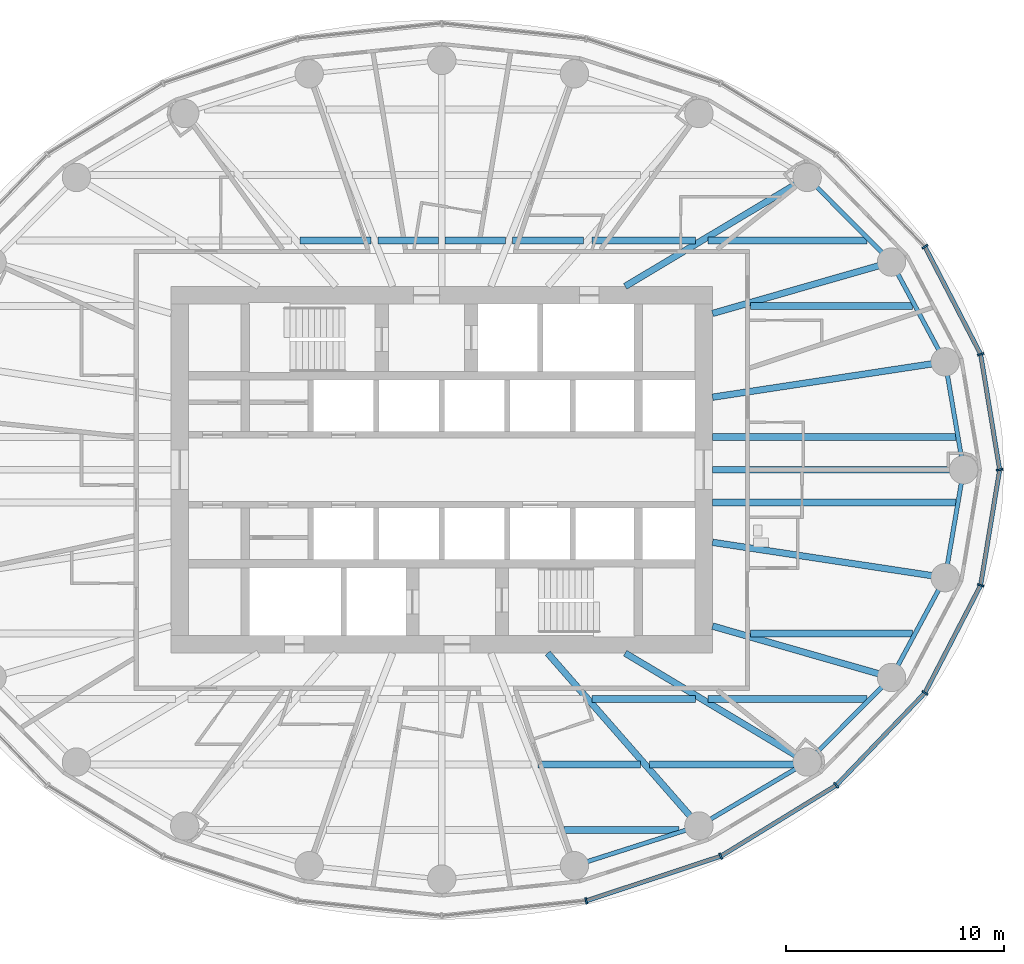
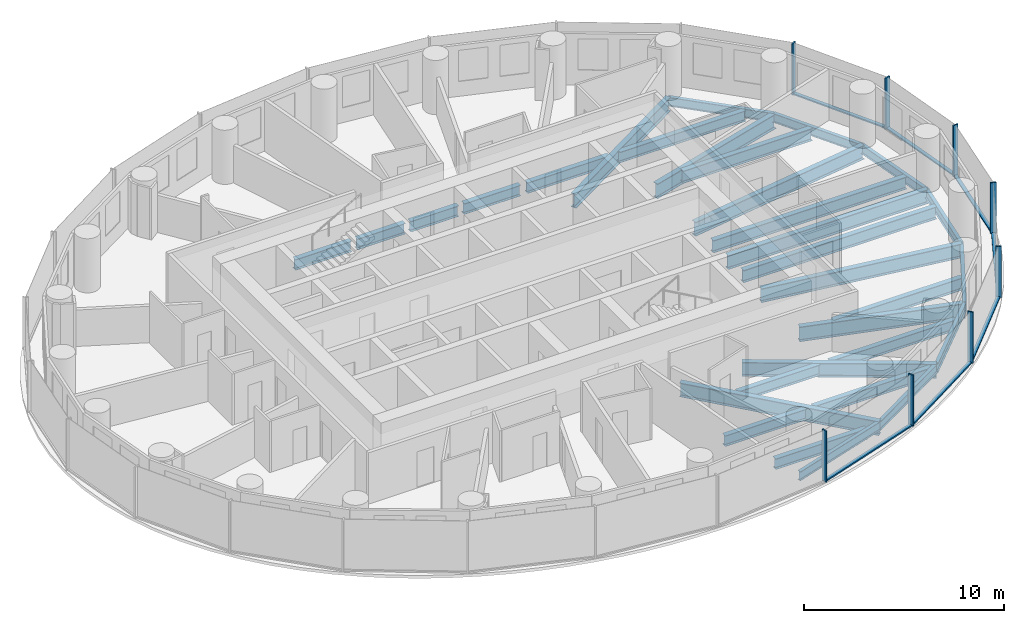
# One storey, part 3 of 13: 31 beams, 15 members, 2 elements without a shape of their own.
"""IFC4 building model written with IfcOpenShell, lengths in metres."""

import ifcopenshell
import ifcopenshell.guid

model = None  # the IFC model being written
_history = None  # IfcOwnerHistory: only IFC2X3 demands one
_inside = {}  # id of a spatial element -> (the spatial element, [elements in it])
_under = {}  # id of a project, library or spatial element -> (it, [spatial elements below it])
_declared = {}  # id of a project -> (the project, [libraries it declares])
_typed = {}  # id of a type object -> (the type object, [elements of that type])
_made_of = {}  # id of a material, layer set ... -> (it, [elements and type objects made of it])


def new_model(schema):
    """Start an empty IFC model of exactly this schema.

    Asked for "IFC4X3", IfcOpenShell would pick the latest addendum, in which some entities
    have other attributes; the version numbers below select the first issue.
    IFC2X3 requires an IfcOwnerHistory on every rooted entity: one is made here for all.
    """
    global model, _history
    if schema == "IFC4X3":
        model = ifcopenshell.file(schema_version=(4, 3, 0, 0))
    else:
        model = ifcopenshell.file(schema=schema)
    _inside.clear()
    _under.clear()
    _declared.clear()
    _typed.clear()
    _made_of.clear()
    _history = None
    if model.schema == "IFC2X3":
        org = make("IfcOrganization", Name="unknown")
        user = make(
            "IfcPersonAndOrganization",
            ThePerson=make("IfcPerson", FamilyName="unknown"),
            TheOrganization=org,
        )
        app = make(
            "IfcApplication",
            ApplicationDeveloper=org,
            Version="unknown",
            ApplicationFullName="unknown",
            ApplicationIdentifier="unknown",
        )
        _history = make(
            "IfcOwnerHistory",
            OwningUser=user,
            OwningApplication=app,
            ChangeAction="ADDED",
            CreationDate=0,
        )
    return model


def make(cls, **values):
    """One entity of the class cls with the attributes given. An attribute that is None is left unset."""
    return model.create_entity(
        cls, **{name: value for name, value in values.items() if value is not None}
    )


def rooted(cls, **values):
    """An entity with a GlobalId (a new one), such as an element, a storey or a relation."""
    return make(cls, GlobalId=ifcopenshell.guid.new(), OwnerHistory=_history, **values)


def si_unit(unit_type, name, prefix=None):
    """IfcSIUnit, for example si_unit("LENGTHUNIT", "METRE", prefix="MILLI")."""
    return make("IfcSIUnit", UnitType=unit_type, Prefix=prefix, Name=name)


def assignment(units):
    """IfcUnitAssignment: the units of a project."""
    return None if units is None else make("IfcUnitAssignment", Units=units)


def point(xyz):
    """IfcCartesianPoint."""
    return None if xyz is None else make("IfcCartesianPoint", Coordinates=xyz)


def direction(xyz):
    """IfcDirection."""
    return None if xyz is None else make("IfcDirection", DirectionRatios=xyz)


def frame(location, z_axis=None, x_axis=None):
    """IfcAxis2Placement3D, a coordinate frame: its origin and axes. An axis left out is left unset."""
    return make(
        "IfcAxis2Placement3D",
        Location=point(location),
        Axis=direction(z_axis),
        RefDirection=direction(x_axis),
    )


def frame_2d(location, x_axis=None):
    """IfcAxis2Placement2D, a coordinate frame in the plane: its origin and x axis."""
    return make(
        "IfcAxis2Placement2D", Location=point(location), RefDirection=direction(x_axis)
    )


def origin():
    """The frame at (0, 0, 0) with its axes left unset."""
    return frame((0.0, 0.0, 0.0))


def origin_2d():
    """The frame at (0, 0) in the plane with its x axis left unset."""
    return frame_2d((0.0, 0.0))


def place(relative_to, where):
    """IfcLocalPlacement: puts the frame where relative to a parent placement (None: the world)."""
    return make(
        "IfcLocalPlacement", PlacementRelTo=relative_to, RelativePlacement=where
    )


def context(
    kind, dimensions, precision=None, world=None, true_north=None, identifier=None
):
    """IfcGeometricRepresentationContext, for example the 3D "Model" context."""
    return make(
        "IfcGeometricRepresentationContext",
        ContextIdentifier=identifier,
        ContextType=kind,
        CoordinateSpaceDimension=dimensions,
        Precision=precision,
        WorldCoordinateSystem=world,
        TrueNorth=true_north,
    )


def subcontext(parent, identifier, kind, view, scale=None):
    """IfcGeometricRepresentationSubContext, for example "Body" below "Model"."""
    return make(
        "IfcGeometricRepresentationSubContext",
        ContextIdentifier=identifier,
        ContextType=kind,
        ParentContext=parent,
        TargetScale=scale,
        TargetView=view,
    )


def project(units=None, contexts=None):
    """IfcProject with its units and contexts."""
    return rooted(
        "IfcProject",
        Name="project",
        RepresentationContexts=contexts,
        UnitsInContext=assignment(units),
    )


def spatial(cls, under=None, at=None, **own):
    """A site, building, storey or space (cls), placed at a placement, below another one or the project."""
    s = rooted(cls, ObjectPlacement=at, **own)
    if under is not None:
        _under.setdefault(under.id(), (under, []))[1].append(s)
    return s


def profile(cls, at=None, kind="AREA", **sizes):
    """A parametric profile (cls). Its sizes go by their IFC names, for example OverallWidth=200.0."""
    return make(cls, ProfileType=kind, Position=at, **sizes)


def rectangle(**sizes):
    """IfcRectangleProfileDef."""
    return profile("IfcRectangleProfileDef", **sizes)


def i_section(**sizes):
    """IfcIShapeProfileDef."""
    return profile("IfcIShapeProfileDef", **sizes)


def extrude(swept, where, along, depth):
    """IfcExtrudedAreaSolid: the profile swept, set in the frame where, extruded along a direction by depth."""
    return make(
        "IfcExtrudedAreaSolid",
        SweptArea=swept,
        Position=where,
        ExtrudedDirection=direction(along),
        Depth=depth,
    )


def shape(context_of_items, identifier, shape_type, items):
    """IfcShapeRepresentation: the items that make up one representation, for example the "Body"."""
    return make(
        "IfcShapeRepresentation",
        ContextOfItems=context_of_items,
        RepresentationIdentifier=identifier,
        RepresentationType=shape_type,
        Items=items,
    )


def material(Name=None, Category=None):
    """IfcMaterial."""
    return make("IfcMaterial", Name=Name, Category=Category)


def material_profile(
    of_material, cross_section, Name=None, Category=None, Priority=None
):
    """IfcMaterialProfile: a cross section and its material."""
    return make(
        "IfcMaterialProfile",
        Name=Name,
        Material=of_material,
        Profile=cross_section,
        Priority=Priority,
        Category=Category,
    )


def profile_set(profiles, Name=None, composite=None):
    """IfcMaterialProfileSet."""
    return make(
        "IfcMaterialProfileSet",
        Name=Name,
        MaterialProfiles=profiles,
        CompositeProfile=composite,
    )


def made_of(thing, what):
    """Note that an element or type object is made of a material, layer set ...; save() writes the relation."""
    if what is not None:
        _made_of.setdefault(what.id(), (what, []))[1].append(thing)
    return thing


def type_object(cls, material=None, **own):
    """A type object (cls), such as IfcWallType, which elements share."""
    return made_of(rooted(cls, **own), material)


def element(
    cls,
    number,
    at=None,
    inside=None,
    cuts=None,
    type_object=None,
    material=None,
    context=None,
    identifier="Body",
    shape_type=None,
    held_by="IfcProductDefinitionShape",
    body=None,
    shapes=None,
    **own,
):
    """One element of the class cls, such as IfcWall. Its Tag is "e" and its number.

    at: its placement. inside: the storey or other place that contains it. cuts: it is an
    opening in that element (IfcRelVoidsElement). A single representation is given by context,
    identifier, shape_type and body (its items); several are given by shapes. held_by: the class
    of the entity that holds the representations. save() writes the other relations.
    """
    e = rooted(cls, Tag="e%d" % number, ObjectPlacement=at, **own)
    if body is not None:
        shapes = [shape(context, identifier, shape_type, body)]
    if shapes is not None:
        e.Representation = make(held_by, Representations=shapes)
    if inside is not None:
        _inside.setdefault(inside.id(), (inside, []))[1].append(e)
    if cuts is not None:
        rooted(
            "IfcRelVoidsElement", RelatingBuildingElement=cuts, RelatedOpeningElement=e
        )
    if type_object is not None:
        _typed.setdefault(type_object.id(), (type_object, []))[1].append(e)
    return made_of(e, material)


def aggregate(whole, parts):
    """IfcRelAggregates: a whole, such as a stair, and the parts it consists of."""
    return rooted("IfcRelAggregates", RelatingObject=whole, RelatedObjects=parts)


def save(model, path):
    """Write the relations noted so far, then the file.

    IfcRelAggregates (storeys below a building ...), IfcRelContainedInSpatialStructure (elements
    in a storey), IfcRelDefinesByType, IfcRelAssociatesMaterial and IfcRelDeclares: one each for
    every whole, place, type object, material and project.
    """
    for whole, parts in _under.values():
        aggregate(whole, parts)
    for where, things in _inside.values():
        rooted(
            "IfcRelContainedInSpatialStructure",
            RelatedElements=things,
            RelatingStructure=where,
        )
    for kind, things in _typed.values():
        rooted("IfcRelDefinesByType", RelatedObjects=things, RelatingType=kind)
    for what, things in _made_of.values():
        rooted("IfcRelAssociatesMaterial", RelatedObjects=things, RelatingMaterial=what)
    for by, libraries in _declared.values():
        rooted("IfcRelDeclares", RelatingContext=by, RelatedDefinitions=libraries)
    model.write(path)


model = new_model("IFC4")

# Units and contexts
model_context = context("Model", 3, precision=1e-05, world=origin(), true_north=direction((0.0, 1.0)))
body_context = subcontext(model_context, "Body", "Model", "MODEL_VIEW")
ifc_project = project(units=[si_unit("LENGTHUNIT", "METRE"), si_unit("AREAUNIT", "SQUARE_METRE"), si_unit("VOLUMEUNIT", "CUBIC_METRE"), si_unit("PLANEANGLEUNIT", "RADIAN"), si_unit("MASSUNIT", "GRAM", prefix="KILO")], contexts=[model_context])

# Site, building, storey
site_placement = place(None, origin())
site = spatial("IfcSite", under=ifc_project, at=site_placement, CompositionType="ELEMENT")
building_placement = place(site_placement, origin())
building = spatial("IfcBuilding", under=site, at=building_placement, Name="Hankou Lantern Tower", CompositionType="ELEMENT")
storey_placement = place(building_placement, frame((0.0, 0.0, 105.60009765625)))
storey = spatial("IfcBuildingStorey", under=building, at=storey_placement, Name="L26", CompositionType="ELEMENT", Elevation=105.60009765625)

# Beams
ifc_material_1 = material(Name="Steel Q355B", Category="steel")
ifc_material_profile_1 = material_profile(ifc_material_1, i_section(OverallWidth=0.199951171875, OverallDepth=0.550048828125, WebThickness=0.010009765625, FlangeThickness=0.01611328125, FilletRadius=0.012939453125, at=origin_2d()), Name="HN550x200x10x16")
ifc_profile_set_1 = profile_set([ifc_material_profile_1], Name="Steel Q355B")
beam_type_1 = type_object("IfcBeamType", Name="EB6 RING BEAM HN550x200x10x16", PredefinedType="SPANDREL", material=ifc_profile_set_1)
beam_1_placement = place(storey_placement, frame((23.89990234375, 0.0, -0.455078125), z_axis=(-0.168527258545, 0.985696993567, 0.0), x_axis=(-0.985696993567, -0.168527258545, 0.0)))
element("IfcBeam", 1, at=beam_1_placement, inside=storey, type_object=beam_type_1, Name="Ring beam R01-R02 L26", PredefinedType="SPANDREL", context=body_context, shape_type="SweptSolid", body=[
    extrude(i_section(OverallWidth=0.199951171875, OverallDepth=0.550048828125, WebThickness=0.010009765625, FlangeThickness=0.01611328125, FilletRadius=0.012939453125, at=origin_2d()), origin(), (0.0, 0.0, 1.0), 5.013916015625),
])
beam_2_placement = place(storey_placement, frame((23.054931640625, 4.942138671875, -0.455078125), z_axis=(-0.473824901673, 0.880619079145, 0.0), x_axis=(-0.880619079145, -0.473824901673, 0.0)))
element("IfcBeam", 2, at=beam_2_placement, inside=storey, type_object=beam_type_1, Name="Ring beam R02-R03 L26", PredefinedType="SPANDREL", context=body_context, shape_type="SweptSolid", body=[
    extrude(i_section(OverallWidth=0.199951171875, OverallDepth=0.550048828125, WebThickness=0.010009765625, FlangeThickness=0.01611328125, FilletRadius=0.012939453125, at=origin_2d()), origin(), (0.0, 0.0, 1.0), 5.190185546875),
])
beam_3_placement = place(storey_placement, frame((20.595703125, 9.5126953125, -0.455078125), z_axis=(-0.705945468625, 0.708266189599, 0.0), x_axis=(-0.708266189599, -0.705945468625, 0.0)))
element("IfcBeam", 3, at=beam_3_placement, inside=storey, type_object=beam_type_1, Name="Ring beam R03-R04 L26", PredefinedType="SPANDREL", context=body_context, shape_type="SweptSolid", body=[
    extrude(i_section(OverallWidth=0.199951171875, OverallDepth=0.550048828125, WebThickness=0.010009765625, FlangeThickness=0.01611328125, FilletRadius=0.012939453125, at=origin_2d()), origin(), (0.0, 0.0, 1.0), 5.470458984375),
])
beam_4_placement = place(storey_placement, frame((6.073974609375, -18.134521484375, -0.455078125), z_axis=(0.952731090451, 0.303814860215, 0.0), x_axis=(-0.303814860215, 0.952731090451, 0.0)))
element("IfcBeam", 4, at=beam_4_placement, inside=storey, type_object=beam_type_1, Name="Ring beam R20-R21 L26", PredefinedType="SPANDREL", context=body_context, shape_type="SweptSolid", body=[
    extrude(i_section(OverallWidth=0.199951171875, OverallDepth=0.550048828125, WebThickness=0.010009765625, FlangeThickness=0.01611328125, FilletRadius=0.012939453125, at=origin_2d()), origin(), (0.0, 0.0, 1.0), 5.984375),
])
beam_5_placement = place(storey_placement, frame((11.775390625, -16.31640625, -0.455078125), z_axis=(0.860988974188, 0.508623619513, 0.0), x_axis=(-0.508623619513, 0.860988974188, 0.0)))
element("IfcBeam", 5, at=beam_5_placement, inside=storey, type_object=beam_type_1, Name="Ring beam R21-R22 L26", PredefinedType="SPANDREL", context=body_context, shape_type="SweptSolid", body=[
    extrude(i_section(OverallWidth=0.199951171875, OverallDepth=0.550048828125, WebThickness=0.010009765625, FlangeThickness=0.01611328125, FilletRadius=0.012939453125, at=origin_2d()), origin(), (0.0, 0.0, 1.0), 5.759033203125),
])
beam_6_placement = place(storey_placement, frame((16.73388671875, -13.38720703125, -0.455078125), z_axis=(0.705945468625, 0.708266189599, 0.0), x_axis=(-0.708266189599, 0.705945468625, 0.0)))
element("IfcBeam", 6, at=beam_6_placement, inside=storey, type_object=beam_type_1, Name="Ring beam R22-R23 L26", PredefinedType="SPANDREL", context=body_context, shape_type="SweptSolid", body=[
    extrude(i_section(OverallWidth=0.199951171875, OverallDepth=0.550048828125, WebThickness=0.010009765625, FlangeThickness=0.01611328125, FilletRadius=0.012939453125, at=origin_2d()), origin(), (0.0, 0.0, 1.0), 5.470458984375),
])
beam_7_placement = place(storey_placement, frame((20.595703125, -9.5126953125, -0.455078125), z_axis=(0.473824901673, 0.880619079145, 0.0), x_axis=(-0.880619079145, 0.473824901673, 0.0)))
element("IfcBeam", 7, at=beam_7_placement, inside=storey, type_object=beam_type_1, Name="Ring beam R23-R24 L26", PredefinedType="SPANDREL", context=body_context, shape_type="SweptSolid", body=[
    extrude(i_section(OverallWidth=0.199951171875, OverallDepth=0.550048828125, WebThickness=0.010009765625, FlangeThickness=0.01611328125, FilletRadius=0.012939453125, at=origin_2d()), origin(), (0.0, 0.0, 1.0), 5.190185546875),
])
beam_8_placement = place(storey_placement, frame((23.054931640625, -4.942138671875, -0.455078125), z_axis=(0.168527258545, 0.985696993567, 0.0), x_axis=(-0.985696993567, 0.168527258545, 0.0)))
element("IfcBeam", 8, at=beam_8_placement, inside=storey, type_object=beam_type_1, Name="Ring beam R24-R01 L26", PredefinedType="SPANDREL", context=body_context, shape_type="SweptSolid", body=[
    extrude(i_section(OverallWidth=0.199951171875, OverallDepth=0.550048828125, WebThickness=0.010009765625, FlangeThickness=0.01611328125, FilletRadius=0.012939453125, at=origin_2d()), origin(), (0.0, 0.0, 1.0), 5.013916015625),
])

# Curtain wall, members
ifc_material_2 = material(Name="Glass, dark grey tinted laminated", Category="glass")
curtain_wall_type = type_object("IfcCurtainWallType", Name="CWB OUTER SKIN MID-RISE", PredefinedType="USERDEFINED", material=ifc_material_2)
curtain_wall_1_placement = place(storey_placement, origin())
curtain_wall_1 = element("IfcCurtainWall", 9, at=curtain_wall_1_placement, inside=storey, type_object=curtain_wall_type, Name="CWB L26 OS1", ObjectType="OUTER SKIN MID-RISE", PredefinedType="USERDEFINED")
ifc_material_3 = material(Name="Aluminium, black anodised", Category="aluminium")
ifc_material_profile_2 = material_profile(ifc_material_3, rectangle(XDim=0.080078125, YDim=0.300048828125, at=origin_2d()), Name="MU1 80X300")
ifc_profile_set_2 = profile_set([ifc_material_profile_2], Name="Aluminium, black anodised")
member_type_1 = type_object("IfcMemberType", Name="MU1 OUTER SKIN MULLION 80X300", PredefinedType="MULLION", material=ifc_profile_set_2)
member_1_placement = place(storey_placement, frame((25.550048828125, 0.0, 0.0), z_axis=(0.0, 0.0, 1.0), x_axis=(-0.162381515188, 0.986728049427, 0.0)))
member_1 = element("IfcMember", 10, at=member_1_placement, type_object=member_type_1, Name="CWB mullion 1", PredefinedType="MULLION", context=body_context, shape_type="SweptSolid", body=[
    extrude(rectangle(XDim=0.080078125, YDim=0.300048828125, at=origin_2d()), origin(), (0.0, 0.0, 1.0), 3.119873046875),
])
member_2_placement = place(storey_placement, frame((24.679443359375, 5.290283203125, 0.0), z_axis=(0.0, 0.0, 1.0), x_axis=(-0.317595577365, 0.94822626479, 0.0)))
member_2 = element("IfcMember", 11, at=member_2_placement, type_object=member_type_1, Name="CWB mullion 2", PredefinedType="MULLION", context=body_context, shape_type="SweptSolid", body=[
    extrude(rectangle(XDim=0.080078125, YDim=0.300048828125, at=origin_2d()), origin(), (0.0, 0.0, 1.0), 3.119873046875),
])
member_3_placement = place(storey_placement, frame((22.126953125, 10.219970703125, 0.0), z_axis=(0.0, 0.0, 1.0), x_axis=(-0.585205735974, 0.810884854084, 0.0)))
member_3 = element("IfcMember", 12, at=member_3_placement, type_object=member_type_1, Name="CWB mullion 3", PredefinedType="MULLION", context=body_context, shape_type="SweptSolid", body=[
    extrude(rectangle(XDim=0.080078125, YDim=0.300048828125, at=origin_2d()), origin(), (0.0, 0.0, 1.0), 3.119873046875),
])

curtain_wall_2_placement = place(storey_placement, origin())
curtain_wall_2 = element("IfcCurtainWall", 13, at=curtain_wall_2_placement, inside=storey, type_object=curtain_wall_type, Name="CWB L26 OS4", ObjectType="OUTER SKIN MID-RISE", PredefinedType="USERDEFINED")
member_4_placement = place(storey_placement, frame((6.61279296875, -19.743408203125, 0.0), z_axis=(0.0, 0.0, 1.0), x_axis=(0.977787659625, 0.209597931016, 0.0)))
member_4 = element("IfcMember", 14, at=member_4_placement, type_object=member_type_1, Name="CWB mullion 2", PredefinedType="MULLION", context=body_context, shape_type="SweptSolid", body=[
    extrude(rectangle(XDim=0.080078125, YDim=0.300048828125, at=origin_2d()), origin(), (0.0, 0.0, 1.0), 3.119873046875),
])
member_5_placement = place(storey_placement, frame((12.77490234375, -17.70166015625, 0.0), z_axis=(0.0, 0.0, 1.0), x_axis=(0.907841299004, 0.419313934686, 0.0)))
member_5 = element("IfcMember", 15, at=member_5_placement, type_object=member_type_1, Name="CWB mullion 3", PredefinedType="MULLION", context=body_context, shape_type="SweptSolid", body=[
    extrude(rectangle(XDim=0.080078125, YDim=0.300048828125, at=origin_2d()), origin(), (0.0, 0.0, 1.0), 3.119873046875),
])
member_6_placement = place(storey_placement, frame((18.066650390625, -14.453369140625, 0.0), z_axis=(0.0, 0.0, 1.0), x_axis=(0.780868809444, 0.624695047553, 0.0)))
member_6 = element("IfcMember", 16, at=member_6_placement, type_object=member_type_1, Name="CWB mullion 4", PredefinedType="MULLION", context=body_context, shape_type="SweptSolid", body=[
    extrude(rectangle(XDim=0.080078125, YDim=0.300048828125, at=origin_2d()), origin(), (0.0, 0.0, 1.0), 3.119873046875),
])
member_7_placement = place(storey_placement, frame((22.126953125, -10.219970703125, 0.0), z_axis=(0.0, 0.0, 1.0), x_axis=(0.585205735974, 0.810884854084, 0.0)))
member_7 = element("IfcMember", 17, at=member_7_placement, type_object=member_type_1, Name="CWB mullion 5", PredefinedType="MULLION", context=body_context, shape_type="SweptSolid", body=[
    extrude(rectangle(XDim=0.080078125, YDim=0.300048828125, at=origin_2d()), origin(), (0.0, 0.0, 1.0), 3.119873046875),
])
member_8_placement = place(storey_placement, frame((24.679443359375, -5.290283203125, 0.0), z_axis=(0.0, 0.0, 1.0), x_axis=(0.317595577365, 0.94822626479, 0.0)))
member_8 = element("IfcMember", 18, at=member_8_placement, type_object=member_type_1, Name="CWB mullion 6", PredefinedType="MULLION", context=body_context, shape_type="SweptSolid", body=[
    extrude(rectangle(XDim=0.080078125, YDim=0.300048828125, at=origin_2d()), origin(), (0.0, 0.0, 1.0), 3.119873046875),
])

# Beams
ifc_material_4 = material(Name="Steel Q355B", Category="steel")
ifc_material_profile_3 = material_profile(ifc_material_4, i_section(OverallWidth=0.300048828125, OverallDepth=0.85009765625, WebThickness=0.01611328125, FlangeThickness=0.027099609375, FilletRadius=0.01806640625, at=origin_2d()), Name="HN850x300x16x27")
ifc_profile_set_3 = profile_set([ifc_material_profile_3], Name="Steel Q355B")
beam_type_2 = type_object("IfcBeamType", Name="RB12 RADIAL BEAM HN850x300x16x27", PredefinedType="BEAM", material=ifc_profile_set_3)
beam_9_placement = place(storey_placement, frame((12.39990234375, 0.0, -0.60498046875), z_axis=(1.0, 0.0, 0.0), x_axis=(0.0, 1.0, 0.0)))
element("IfcBeam", 19, at=beam_9_placement, inside=storey, type_object=beam_type_2, Name="Radial beam R01 L26", PredefinedType="BEAM", context=body_context, shape_type="SweptSolid", body=[
    extrude(i_section(OverallWidth=0.300048828125, OverallDepth=0.85009765625, WebThickness=0.01611328125, FlangeThickness=0.027099609375, FilletRadius=0.01806640625, at=origin_2d()), origin(), (0.0, 0.0, 1.0), 11.5),
])
beam_10_placement = place(storey_placement, frame((12.39990234375, 3.322509765625, -0.60498046875), z_axis=(0.988643506875, 0.150279793429, 0.0), x_axis=(-0.150279793429, 0.988643506875, 0.0)))
element("IfcBeam", 20, at=beam_10_placement, inside=storey, type_object=beam_type_2, Name="Radial beam R02 L26", PredefinedType="BEAM", context=body_context, shape_type="SweptSolid", body=[
    extrude(i_section(OverallWidth=0.300048828125, OverallDepth=0.85009765625, WebThickness=0.01611328125, FlangeThickness=0.027099609375, FilletRadius=0.01806640625, at=origin_2d()), origin(), (0.0, 0.0, 1.0), 10.77734375),
])
beam_11_placement = place(storey_placement, frame((8.39990234375, 8.39990234375, -0.60498046875), z_axis=(0.858086776551, 0.513504706802, 0.0), x_axis=(-0.513504706802, 0.858086776551, 0.0)))
element("IfcBeam", 21, at=beam_11_placement, inside=storey, type_object=beam_type_2, Name="Radial beam R04 L26", PredefinedType="BEAM", context=body_context, shape_type="SweptSolid", body=[
    extrude(i_section(OverallWidth=0.300048828125, OverallDepth=0.85009765625, WebThickness=0.01611328125, FlangeThickness=0.027099609375, FilletRadius=0.01806640625, at=origin_2d()), origin(), (0.0, 0.0, 1.0), 9.71240234375),
])
beam_12_placement = place(storey_placement, frame((4.849853515625, -8.39990234375, -0.60498046875), z_axis=(0.658429014446, -0.752642832249, 0.0), x_axis=(0.752642832249, 0.658429014446, 0.0)))
element("IfcBeam", 22, at=beam_12_placement, inside=storey, type_object=beam_type_2, Name="Radial beam R21 L26", PredefinedType="BEAM", context=body_context, shape_type="SweptSolid", body=[
    extrude(i_section(OverallWidth=0.300048828125, OverallDepth=0.85009765625, WebThickness=0.01611328125, FlangeThickness=0.027099609375, FilletRadius=0.01806640625, at=origin_2d()), origin(), (0.0, 0.0, 1.0), 10.518310546875),
])
beam_13_placement = place(storey_placement, frame((8.39990234375, -8.39990234375, -0.60498046875), z_axis=(0.858086776551, -0.513504706802, 0.0), x_axis=(0.513504706802, 0.858086776551, 0.0)))
element("IfcBeam", 23, at=beam_13_placement, inside=storey, type_object=beam_type_2, Name="Radial beam R22 L26", PredefinedType="BEAM", context=body_context, shape_type="SweptSolid", body=[
    extrude(i_section(OverallWidth=0.300048828125, OverallDepth=0.85009765625, WebThickness=0.01611328125, FlangeThickness=0.027099609375, FilletRadius=0.01806640625, at=origin_2d()), origin(), (0.0, 0.0, 1.0), 9.71240234375),
])
beam_14_placement = place(storey_placement, frame((12.39990234375, -3.322509765625, -0.60498046875), z_axis=(0.988643506875, -0.150279793429, 0.0), x_axis=(0.150279793429, 0.988643506875, 0.0)))
element("IfcBeam", 24, at=beam_14_placement, inside=storey, type_object=beam_type_2, Name="Radial beam R24 L26", PredefinedType="BEAM", context=body_context, shape_type="SweptSolid", body=[
    extrude(i_section(OverallWidth=0.300048828125, OverallDepth=0.85009765625, WebThickness=0.01611328125, FlangeThickness=0.027099609375, FilletRadius=0.01806640625, at=origin_2d()), origin(), (0.0, 0.0, 1.0), 10.77734375),
])
ifc_material_5 = material(Name="Steel Q355B", Category="steel")
ifc_material_profile_4 = material_profile(ifc_material_5, i_section(OverallWidth=0.300048828125, OverallDepth=0.89990234375, WebThickness=0.01611328125, FlangeThickness=0.028076171875, FilletRadius=0.01806640625, at=origin_2d()), Name="HN900x300x16x28")
ifc_profile_set_4 = profile_set([ifc_material_profile_4], Name="Steel Q355B")
beam_type_3 = type_object("IfcBeamType", Name="RB13 RADIAL BEAM HN900x300x16x28", PredefinedType="BEAM", material=ifc_profile_set_4)
for number, where, z_axis, x_axis, name in (
    (25, (12.39990234375, 7.1591796875, -0.630126953125), (0.961155741911, 0.276006593745, 0.0), (-0.276006593745, 0.961155741911, 0.0), "Radial beam R03 L26"),
    (26, (12.39990234375, -7.1591796875, -0.630126953125), (0.961155741911, -0.276006593745, 0.0), (0.276006593745, 0.961155741911, 0.0), "Radial beam R23 L26"),
):
    element("IfcBeam", number, at=place(storey_placement, frame(where, z_axis=z_axis, x_axis=x_axis)), inside=storey, type_object=beam_type_3, Name=name, PredefinedType="BEAM", context=body_context, shape_type="SweptSolid", body=[
        extrude(i_section(OverallWidth=0.300048828125, OverallDepth=0.89990234375, WebThickness=0.01611328125, FlangeThickness=0.028076171875, FilletRadius=0.01806640625, at=origin_2d()), origin(), (0.0, 0.0, 1.0), 8.527099609375),
    ])
ifc_material_6 = material(Name="Steel Q355B", Category="steel")
ifc_material_profile_5 = material_profile(ifc_material_6, i_section(OverallWidth=0.300048828125, OverallDepth=0.75, WebThickness=0.012939453125, FlangeThickness=0.02392578125, FilletRadius=0.01806640625, at=origin_2d()), Name="HN750x300x13x24")
ifc_profile_set_5 = profile_set([ifc_material_profile_5], Name="Steel Q355B")
beam_type_4 = type_object("IfcBeamType", Name="SB10 SECONDARY BEAM HN750x300x13x24", PredefinedType="JOIST", material=ifc_profile_set_5)
beam_15_placement = place(storey_placement, frame((14.13037109375, -7.5, -0.55517578125), z_axis=(1.0, 0.0, 0.0), x_axis=(0.0, 1.0, 0.0)))
element("IfcBeam", 27, at=beam_15_placement, inside=storey, type_object=beam_type_4, Name="Floor joist J020 L26", PredefinedType="JOIST", context=body_context, shape_type="SweptSolid", body=[
    extrude(i_section(OverallWidth=0.300048828125, OverallDepth=0.75, WebThickness=0.012939453125, FlangeThickness=0.02392578125, FilletRadius=0.01806640625, at=origin_2d()), origin(), (0.0, 0.0, 1.0), 7.4345703125),
])
for number, where, z_axis, x_axis, name in (
    (28, (12.39990234375, -1.5, -0.55517578125), (1.0, 0.0, 0.0), (0.0, 1.0, 0.0), "Floor joist J026 L26"),
    (29, (12.39990234375, 1.5, -0.55517578125), (1.0, 0.0, 0.0), (0.0, 1.0, 0.0), "Floor joist J028 L26"),
):
    element("IfcBeam", number, at=place(storey_placement, frame(where, z_axis=z_axis, x_axis=x_axis)), inside=storey, type_object=beam_type_4, Name=name, PredefinedType="JOIST", context=body_context, shape_type="SweptSolid", body=[
        extrude(i_section(OverallWidth=0.300048828125, OverallDepth=0.75, WebThickness=0.012939453125, FlangeThickness=0.02392578125, FilletRadius=0.01806640625, at=origin_2d()), origin(), (0.0, 0.0, 1.0), 11.14208984375),
    ])
beam_16_placement = place(storey_placement, frame((14.13037109375, 7.5, -0.55517578125), z_axis=(1.0, 0.0, 0.0), x_axis=(0.0, 1.0, 0.0)))
element("IfcBeam", 30, at=beam_16_placement, inside=storey, type_object=beam_type_4, Name="Floor joist J034 L26", PredefinedType="JOIST", context=body_context, shape_type="SweptSolid", body=[
    extrude(i_section(OverallWidth=0.300048828125, OverallDepth=0.75, WebThickness=0.012939453125, FlangeThickness=0.02392578125, FilletRadius=0.01806640625, at=origin_2d()), origin(), (0.0, 0.0, 1.0), 7.4345703125),
])
ifc_material_7 = material(Name="Steel Q355B", Category="steel")
ifc_material_profile_6 = material_profile(ifc_material_7, i_section(OverallWidth=0.300048828125, OverallDepth=0.64990234375, WebThickness=0.010986328125, FlangeThickness=0.01708984375, FilletRadius=0.01806640625, at=origin_2d()), Name="HN650x300x11x17")
ifc_profile_set_6 = profile_set([ifc_material_profile_6], Name="Steel Q355B")
beam_type_5 = type_object("IfcBeamType", Name="SB8 SECONDARY BEAM HN650x300x11x17", PredefinedType="JOIST", material=ifc_profile_set_6)
beam_17_placement = place(storey_placement, frame((5.59326171875, -16.5, -0.505126953125), z_axis=(1.0, 0.0, 0.0), x_axis=(0.0, 1.0, 0.0)))
element("IfcBeam", 31, at=beam_17_placement, inside=storey, type_object=beam_type_5, Name="Floor joist J004 L26", PredefinedType="JOIST", context=body_context, shape_type="SweptSolid", body=[
    extrude(i_section(OverallWidth=0.300048828125, OverallDepth=0.64990234375, WebThickness=0.010986328125, FlangeThickness=0.01708984375, FilletRadius=0.01806640625, at=origin_2d()), origin(), (0.0, 0.0, 1.0), 5.27685546875),
])
beam_18_placement = place(storey_placement, frame((4.4150390625, -13.5, -0.505126953125), z_axis=(1.0, 0.0, 0.0), x_axis=(0.0, 1.0, 0.0)))
element("IfcBeam", 32, at=beam_18_placement, inside=storey, type_object=beam_type_5, Name="Floor joist J009 L26", PredefinedType="JOIST", context=body_context, shape_type="SweptSolid", body=[
    extrude(i_section(OverallWidth=0.300048828125, OverallDepth=0.64990234375, WebThickness=0.010986328125, FlangeThickness=0.01708984375, FilletRadius=0.01806640625, at=origin_2d()), origin(), (0.0, 0.0, 1.0), 4.697021484375),
])
beam_19_placement = place(storey_placement, frame((9.5107421875, -13.5, -0.505126953125), z_axis=(1.0, 0.0, 0.0), x_axis=(0.0, 1.0, 0.0)))
element("IfcBeam", 33, at=beam_19_placement, inside=storey, type_object=beam_type_5, Name="Floor joist J010 L26", PredefinedType="JOIST", context=body_context, shape_type="SweptSolid", body=[
    extrude(i_section(OverallWidth=0.300048828125, OverallDepth=0.64990234375, WebThickness=0.010986328125, FlangeThickness=0.01708984375, FilletRadius=0.01806640625, at=origin_2d()), origin(), (0.0, 0.0, 1.0), 6.83544921875),
])
beam_20_placement = place(storey_placement, frame((6.88623046875, -10.5, -0.505126953125), z_axis=(1.0, 0.0, 0.0), x_axis=(0.0, 1.0, 0.0)))
element("IfcBeam", 34, at=beam_20_placement, inside=storey, type_object=beam_type_5, Name="Floor joist J017 L26", PredefinedType="JOIST", context=body_context, shape_type="SweptSolid", body=[
    extrude(i_section(OverallWidth=0.300048828125, OverallDepth=0.64990234375, WebThickness=0.010986328125, FlangeThickness=0.01708984375, FilletRadius=0.01806640625, at=origin_2d()), origin(), (0.0, 0.0, 1.0), 4.73095703125),
])
beam_21_placement = place(storey_placement, frame((12.201416015625, -10.5, -0.505126953125), z_axis=(1.0, 0.0, 0.0), x_axis=(0.0, 1.0, 0.0)))
element("IfcBeam", 35, at=beam_21_placement, inside=storey, type_object=beam_type_5, Name="Floor joist J018 L26", PredefinedType="JOIST", context=body_context, shape_type="SweptSolid", body=[
    extrude(i_section(OverallWidth=0.300048828125, OverallDepth=0.64990234375, WebThickness=0.010986328125, FlangeThickness=0.01708984375, FilletRadius=0.01806640625, at=origin_2d()), origin(), (0.0, 0.0, 1.0), 7.26904296875),
])
beam_22_placement = place(storey_placement, frame((-6.487548828125, 10.5, -0.505126953125), z_axis=(1.0, 0.0, 0.0), x_axis=(0.0, 1.0, 0.0)))
element("IfcBeam", 36, at=beam_22_placement, inside=storey, type_object=beam_type_5, Name="Floor joist J037 L26", PredefinedType="JOIST", context=body_context, shape_type="SweptSolid", body=[
    extrude(i_section(OverallWidth=0.300048828125, OverallDepth=0.64990234375, WebThickness=0.010986328125, FlangeThickness=0.01708984375, FilletRadius=0.01806640625, at=origin_2d()), origin(), (0.0, 0.0, 1.0), 3.2509765625),
])
for number, where, z_axis, x_axis, name in (
    (37, (-2.914306640625, 10.5, -0.505126953125), (1.0, 0.0, 0.0), (0.0, 1.0, 0.0), "Floor joist J038 L26"),
    (38, (0.14990234375, 10.5, -0.505126953125), (1.0, 0.0, 0.0), (0.0, 1.0, 0.0), "Floor joist J039 L26"),
):
    element("IfcBeam", number, at=place(storey_placement, frame(where, z_axis=z_axis, x_axis=x_axis)), inside=storey, type_object=beam_type_5, Name=name, PredefinedType="JOIST", context=body_context, shape_type="SweptSolid", body=[
        extrude(i_section(OverallWidth=0.300048828125, OverallDepth=0.64990234375, WebThickness=0.010986328125, FlangeThickness=0.01708984375, FilletRadius=0.01806640625, at=origin_2d()), origin(), (0.0, 0.0, 1.0), 2.764404296875),
    ])
beam_23_placement = place(storey_placement, frame((3.236572265625, 10.5, -0.505126953125), z_axis=(1.0, 0.0, 0.0), x_axis=(0.0, 1.0, 0.0)))
element("IfcBeam", 39, at=beam_23_placement, inside=storey, type_object=beam_type_5, Name="Floor joist J040 L26", PredefinedType="JOIST", context=body_context, shape_type="SweptSolid", body=[
    extrude(i_section(OverallWidth=0.300048828125, OverallDepth=0.64990234375, WebThickness=0.010986328125, FlangeThickness=0.01708984375, FilletRadius=0.01806640625, at=origin_2d()), origin(), (0.0, 0.0, 1.0), 3.2509765625),
])
beam_24_placement = place(storey_placement, frame((6.88623046875, 10.5, -0.505126953125), z_axis=(1.0, 0.0, 0.0), x_axis=(0.0, 1.0, 0.0)))
element("IfcBeam", 40, at=beam_24_placement, inside=storey, type_object=beam_type_5, Name="Floor joist J041 L26", PredefinedType="JOIST", context=body_context, shape_type="SweptSolid", body=[
    extrude(i_section(OverallWidth=0.300048828125, OverallDepth=0.64990234375, WebThickness=0.010986328125, FlangeThickness=0.01708984375, FilletRadius=0.01806640625, at=origin_2d()), origin(), (0.0, 0.0, 1.0), 4.73095703125),
])
beam_25_placement = place(storey_placement, frame((12.201416015625, 10.5, -0.505126953125), z_axis=(1.0, 0.0, 0.0), x_axis=(0.0, 1.0, 0.0)))
element("IfcBeam", 41, at=beam_25_placement, inside=storey, type_object=beam_type_5, Name="Floor joist J042 L26", PredefinedType="JOIST", context=body_context, shape_type="SweptSolid", body=[
    extrude(i_section(OverallWidth=0.300048828125, OverallDepth=0.64990234375, WebThickness=0.010986328125, FlangeThickness=0.01708984375, FilletRadius=0.01806640625, at=origin_2d()), origin(), (0.0, 0.0, 1.0), 7.26904296875),
])

# Member
ifc_material_8 = material(Name="Aluminium, black anodised", Category="aluminium")
ifc_material_profile_7 = material_profile(ifc_material_8, rectangle(XDim=0.199951171875, YDim=0.080078125, at=origin_2d()), Name="TR1 200X80")
ifc_profile_set_7 = profile_set([ifc_material_profile_7], Name="Aluminium, black anodised")
member_type_2 = type_object("IfcMemberType", Name="TR1 OUTER SKIN TRANSOM 200X80", PredefinedType="USERDEFINED", material=ifc_profile_set_7)
member_9_placement = place(storey_placement, frame((25.54345703125, 0.03955078125, 0.039794921875), z_axis=(-0.162397124076, 0.986725480614, 0.0), x_axis=(-0.986725480614, -0.162397124076, 0.0)))
member_9 = element("IfcMember", 42, at=member_9_placement, type_object=member_type_2, Name="CWB transom 1", ObjectType="TRANSOM", PredefinedType="USERDEFINED", context=body_context, shape_type="SweptSolid", body=[
    extrude(rectangle(XDim=0.199951171875, YDim=0.080078125, at=origin_2d()), origin(), (0.0, 0.0, 1.0), 5.28125),
])

member_10_placement = place(storey_placement, frame((24.6611328125, 5.32568359375, 0.039794921875), z_axis=(-0.459805240543, 0.888019786249, 0.0), x_axis=(-0.888019786249, -0.459805240543, 0.0)))
member_10 = element("IfcMember", 43, at=member_10_placement, type_object=member_type_2, Name="CWB transom 2", ObjectType="TRANSOM", PredefinedType="USERDEFINED", context=body_context, shape_type="SweptSolid", body=[
    extrude(rectangle(XDim=0.199951171875, YDim=0.080078125, at=origin_2d()), origin(), (0.0, 0.0, 1.0), 5.4716796875),
])

aggregate(curtain_wall_1, [member_1, member_2, member_3, member_9, member_10])

member_11_placement = place(storey_placement, frame((6.65087890625, -19.73095703125, 0.039794921875), z_axis=(0.949237765745, 0.314559476225, 0.0), x_axis=(-0.314559476225, 0.949237765745, 0.0)))
member_11 = element("IfcMember", 44, at=member_11_placement, type_object=member_type_2, Name="CWB transom 2", ObjectType="TRANSOM", PredefinedType="USERDEFINED", context=body_context, shape_type="SweptSolid", body=[
    extrude(rectangle(XDim=0.199951171875, YDim=0.080078125, at=origin_2d()), origin(), (0.0, 0.0, 1.0), 6.41162109375),
])

member_12_placement = place(storey_placement, frame((12.80908203125, -17.6806640625, 0.039794921875), z_axis=(0.852229492169, 0.523168130411, 0.0), x_axis=(-0.523168130411, 0.852229492169, 0.0)))
member_12 = element("IfcMember", 45, at=member_12_placement, type_object=member_type_2, Name="CWB transom 3", ObjectType="TRANSOM", PredefinedType="USERDEFINED", context=body_context, shape_type="SweptSolid", body=[
    extrude(rectangle(XDim=0.199951171875, YDim=0.080078125, at=origin_2d()), origin(), (0.0, 0.0, 1.0), 6.129150390625),
])

member_13_placement = place(storey_placement, frame((18.09423828125, -14.42431640625, 0.039794921875), z_axis=(0.692226977748, 0.721679853729, 0.0), x_axis=(-0.721679853729, 0.692226977748, 0.0)))
member_13 = element("IfcMember", 46, at=member_13_placement, type_object=member_type_2, Name="CWB transom 4", ObjectType="TRANSOM", PredefinedType="USERDEFINED", context=body_context, shape_type="SweptSolid", body=[
    extrude(rectangle(XDim=0.199951171875, YDim=0.080078125, at=origin_2d()), origin(), (0.0, 0.0, 1.0), 5.785888671875),
])

member_14_placement = place(storey_placement, frame((22.145263671875, -10.1845703125, 0.039794921875), z_axis=(0.459805240543, 0.888019786249, 0.0), x_axis=(-0.888019786249, 0.459805240543, 0.0)))
member_14 = element("IfcMember", 47, at=member_14_placement, type_object=member_type_2, Name="CWB transom 5", ObjectType="TRANSOM", PredefinedType="USERDEFINED", context=body_context, shape_type="SweptSolid", body=[
    extrude(rectangle(XDim=0.199951171875, YDim=0.080078125, at=origin_2d()), origin(), (0.0, 0.0, 1.0), 5.4716796875),
])

member_15_placement = place(storey_placement, frame((24.685791015625, -5.250732421875, 0.039794921875), z_axis=(0.162397124076, 0.986725480614, 0.0), x_axis=(-0.986725480614, 0.162397124076, 0.0)))
member_15 = element("IfcMember", 48, at=member_15_placement, type_object=member_type_2, Name="CWB transom 6", ObjectType="TRANSOM", PredefinedType="USERDEFINED", context=body_context, shape_type="SweptSolid", body=[
    extrude(rectangle(XDim=0.199951171875, YDim=0.080078125, at=origin_2d()), origin(), (0.0, 0.0, 1.0), 5.28125),
])

aggregate(curtain_wall_2, [member_4, member_5, member_6, member_7, member_8, member_11, member_12, member_13, member_14, member_15])

save(model, "model.ifc")
